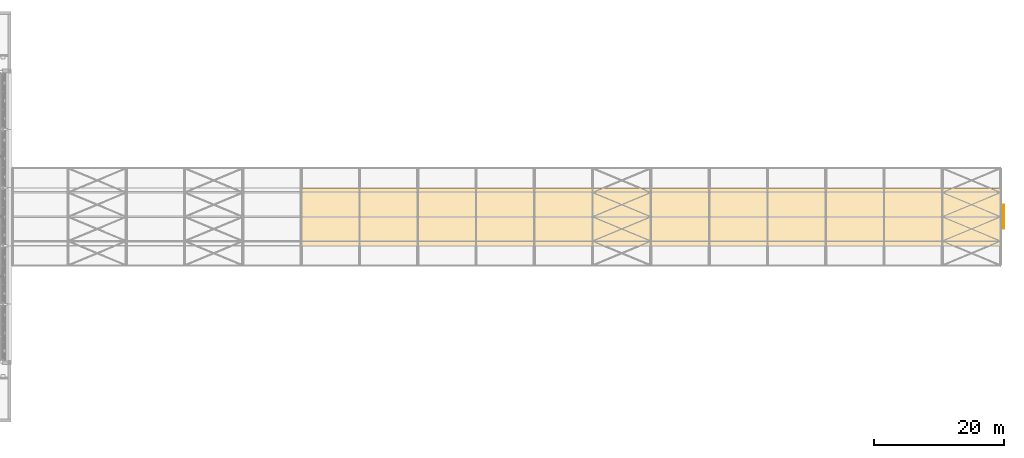
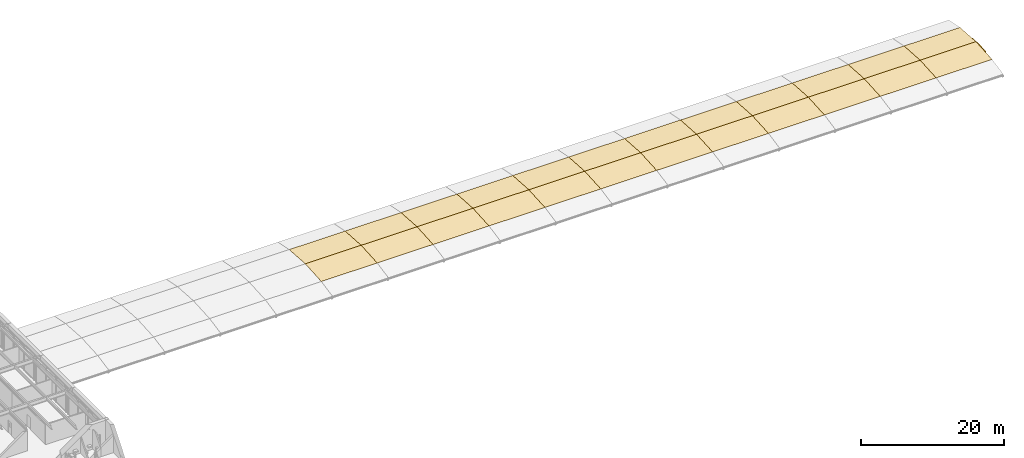
# One storey, part 40 of 43: 26 coverings.
"""IFC4 building model written with IfcOpenShell, lengths in metres."""

from ifc_helpers import new_model, si_unit, direction, frame, origin, place, context, subcontext, project, spatial, polyline, outline, extrude, material, layer, layer_set, type_object, element, save


model = new_model("IFC4")

# Units and contexts
model_context = context("Model", 3, precision=1e-05, world=origin(), true_north=direction((0.0, 1.0)))
body_context = subcontext(model_context, "Body", "Model", "MODEL_VIEW")
ifc_project = project(units=[si_unit("LENGTHUNIT", "METRE"), si_unit("AREAUNIT", "SQUARE_METRE"), si_unit("VOLUMEUNIT", "CUBIC_METRE"), si_unit("PLANEANGLEUNIT", "RADIAN"), si_unit("MASSUNIT", "GRAM", prefix="KILO")], contexts=[model_context])

# Site, building, storey
site_placement = place(None, origin())
site = spatial("IfcSite", under=ifc_project, at=site_placement, CompositionType="ELEMENT")
building_placement = place(site_placement, origin())
building = spatial("IfcBuilding", under=site, at=building_placement, Name="Baradari Gate Terminus", CompositionType="ELEMENT")
storey_placement = place(building_placement, frame((0.0, 0.0, 20.10009765625)))
storey = spatial("IfcBuildingStorey", under=building, at=storey_placement, Name="L04", CompositionType="ELEMENT", Elevation=20.10009765625)

# Coverings
ifc_material_1 = material(Name="Sandstone cladding", Category="masonry")
ifc_layer_1 = layer(ifc_material_1, 0.14990234375)
ifc_layer_set_1 = layer_set([ifc_layer_1], Name="Sandstone cladding")
covering_type_1 = type_object("IfcCoveringType", Name="Shed gable arch band GB2 150", PredefinedType="CLADDING", material=ifc_layer_set_1)
covering_1_placement = place(storey_placement, frame((243.449951171875, 56.625, -0.10009765625), z_axis=(0.0, 0.0, 1.0), x_axis=(0.0, 1.0, 0.0)))
element("IfcCovering", 1, at=covering_1_placement, inside=storey, type_object=covering_type_1, Name="Shed gable arch band 06b", PredefinedType="CLADDING", context=body_context, shape_type="SweptSolid", body=[
    extrude(outline(polyline([(1.875, 0.0), (1.875, 0.658203125), (0.0, 0.533203125), (0.0, 0.0), (1.875, 0.0)])), frame((0.0, 0.074951171875, 0.0), z_axis=(0.0, -1.0, 0.0), x_axis=(1.0, 0.0, 0.0)), (0.0, 0.0, 1.0), 0.14990234375),
])
covering_2_placement = place(storey_placement, frame((243.449951171875, 58.5, -0.10009765625), z_axis=(0.0, 0.0, 1.0), x_axis=(0.0, 1.0, 0.0)))
element("IfcCovering", 2, at=covering_2_placement, inside=storey, type_object=covering_type_1, Name="Shed gable arch band 07a", PredefinedType="CLADDING", context=body_context, shape_type="SweptSolid", body=[
    extrude(outline(polyline([(1.875, 0.0), (1.875, 0.533203125), (0.0, 0.658203125), (0.0, 0.0), (1.875, 0.0)])), frame((0.0, 0.074951171875, 0.0), z_axis=(0.0, -1.0, 0.0), x_axis=(1.0, 0.0, 0.0)), (0.0, 0.0, 1.0), 0.14990234375),
])
ifc_material_2 = material(Name="Laminated glass", Category="glass")
ifc_layer_2 = layer(ifc_material_2, 0.030029296875)
ifc_layer_set_2 = layer_set([ifc_layer_2], Name="Laminated glass")
covering_type_2 = type_object("IfcCoveringType", Name="Shed ridge rooflight glazing", PredefinedType="ROOFING", material=ifc_layer_set_2)
for number, where, z_axis, x_axis, name in (
    (3, (135.0, 54.0205078125, 0.834716796875), (0.0, -0.066291615182, 0.99780029152), (1.0, 0.0, 0.0), "RF/L04/B144-RG05"),
    (4, (135.0, 58.5, 1.13232421875), (0.0, 0.066291615182, 0.99780029152), (1.0, 0.0, 0.0), "RF/L04/B144-RG06"),
    (5, (144.0, 54.0205078125, 0.834716796875), (0.0, -0.066291615182, 0.99780029152), (1.0, 0.0, 0.0), "RF/L04/B153-RG05"),
    (6, (144.0, 58.5, 1.13232421875), (0.0, 0.066291615182, 0.99780029152), (1.0, 0.0, 0.0), "RF/L04/B153-RG06"),
    (7, (153.0, 54.0205078125, 0.834716796875), (0.0, -0.066291615182, 0.99780029152), (1.0, 0.0, 0.0), "RF/L04/B162-RG05"),
    (8, (153.0, 58.5, 1.13232421875), (0.0, 0.066291615182, 0.99780029152), (1.0, 0.0, 0.0), "RF/L04/B162-RG06"),
    (9, (162.0, 54.0205078125, 0.834716796875), (0.0, -0.066291615182, 0.99780029152), (1.0, 0.0, 0.0), "RF/L04/B171-RG05"),
    (10, (162.0, 58.5, 1.13232421875), (0.0, 0.066291615182, 0.99780029152), (1.0, 0.0, 0.0), "RF/L04/B171-RG06"),
    (11, (171.0, 54.0205078125, 0.834716796875), (0.0, -0.066291615182, 0.99780029152), (1.0, 0.0, 0.0), "RF/L04/B180-RG05"),
    (12, (171.0, 58.5, 1.13232421875), (0.0, 0.066291615182, 0.99780029152), (1.0, 0.0, 0.0), "RF/L04/B180-RG06"),
    (13, (180.0, 54.0205078125, 0.834716796875), (0.0, -0.066291615182, 0.99780029152), (1.0, 0.0, 0.0), "RF/L04/B189-RG05"),
    (14, (180.0, 58.5, 1.13232421875), (0.0, 0.066291615182, 0.99780029152), (1.0, 0.0, 0.0), "RF/L04/B189-RG06"),
    (15, (189.0, 54.0205078125, 0.834716796875), (0.0, -0.066291615182, 0.99780029152), (1.0, 0.0, 0.0), "RF/L04/B198-RG05"),
    (16, (189.0, 58.5, 1.13232421875), (0.0, 0.066291615182, 0.99780029152), (1.0, 0.0, 0.0), "RF/L04/B198-RG06"),
    (17, (198.0, 54.0205078125, 0.834716796875), (0.0, -0.066291615182, 0.99780029152), (1.0, 0.0, 0.0), "RF/L04/B207-RG05"),
    (18, (198.0, 58.5, 1.13232421875), (0.0, 0.066291615182, 0.99780029152), (1.0, 0.0, 0.0), "RF/L04/B207-RG06"),
    (19, (207.0, 54.0205078125, 0.834716796875), (0.0, -0.066291615182, 0.99780029152), (1.0, 0.0, 0.0), "RF/L04/B216-RG05"),
    (20, (207.0, 58.5, 1.13232421875), (0.0, 0.066291615182, 0.99780029152), (1.0, 0.0, 0.0), "RF/L04/B216-RG06"),
    (21, (216.0, 54.0205078125, 0.834716796875), (0.0, -0.066291615182, 0.99780029152), (1.0, 0.0, 0.0), "RF/L04/B225-RG05"),
    (22, (216.0, 58.5, 1.13232421875), (0.0, 0.066291615182, 0.99780029152), (1.0, 0.0, 0.0), "RF/L04/B225-RG06"),
    (23, (225.0, 54.0205078125, 0.834716796875), (0.0, -0.066291615182, 0.99780029152), (1.0, 0.0, 0.0), "RF/L04/B234-RG05"),
    (24, (225.0, 58.5, 1.13232421875), (0.0, 0.066291615182, 0.99780029152), (1.0, 0.0, 0.0), "RF/L04/B234-RG06"),
    (25, (234.0, 54.0205078125, 0.834716796875), (0.0, -0.066291615182, 0.99780029152), (1.0, 0.0, 0.0), "RF/L04/B243-RG05"),
    (26, (234.0, 58.5, 1.13232421875), (0.0, 0.066291615182, 0.99780029152), (1.0, 0.0, 0.0), "RF/L04/B243-RG06"),
):
    element("IfcCovering", number, at=place(storey_placement, frame(where, z_axis=z_axis, x_axis=x_axis)), inside=storey, type_object=covering_type_2, Name=name, PredefinedType="ROOFING", context=body_context, shape_type="SweptSolid", body=[
        extrude(outline(polyline([(0.0, 0.0), (9.0, 0.0), (9.0, 4.489367487233433), (0.0, 4.489367487233433), (0.0, 0.0)])), origin(), (0.0, 0.0, -1.0), 0.030029296875),
    ])

save(model, "model.ifc")
